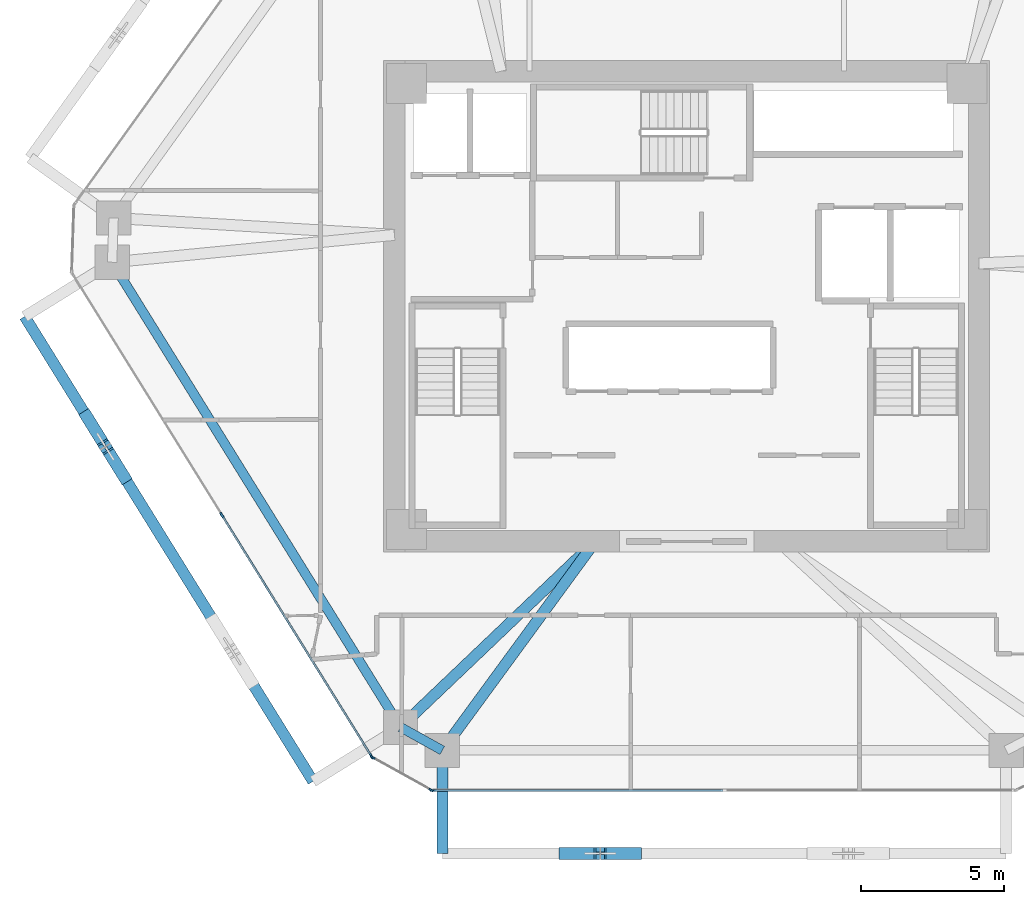
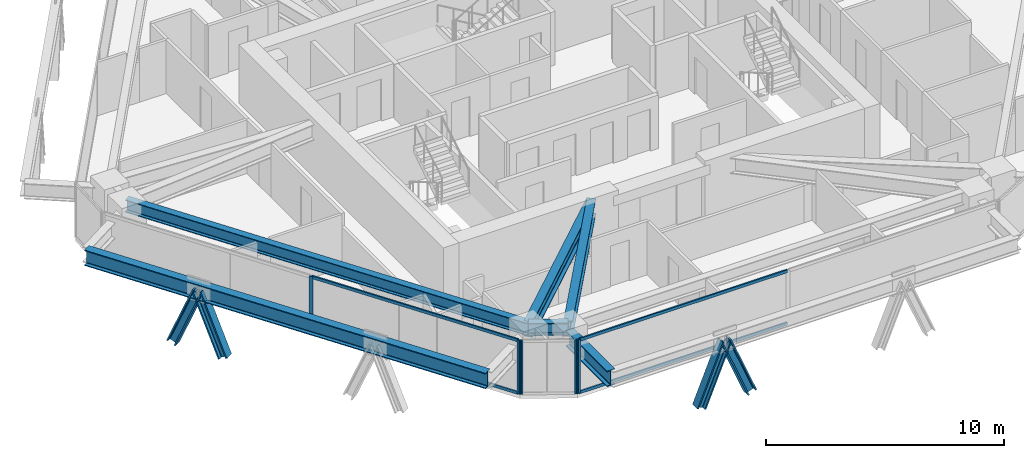
# One storey, part 2 of 17: 13 members, 6 beams, 3 elements without a shape of their own.
"""IFC4 building model written with IfcOpenShell, lengths in metres."""

from ifc_helpers import new_model, si_unit, direction, frame, origin, origin_2d, place, context, subcontext, project, spatial, rectangle, i_section, extrude, source, transform, mapped, material, layer, layer_set, material_profile, profile_set, type_object, type_shapes, element, aggregate, save


model = new_model("IFC4")

# Units and contexts
model_context = context("Model", 3, precision=1e-05, world=origin(), true_north=direction((0.0, 1.0)))
body_context = subcontext(model_context, "Body", "Model", "MODEL_VIEW")
ifc_project = project(units=[si_unit("LENGTHUNIT", "METRE"), si_unit("AREAUNIT", "SQUARE_METRE"), si_unit("VOLUMEUNIT", "CUBIC_METRE"), si_unit("PLANEANGLEUNIT", "RADIAN"), si_unit("MASSUNIT", "GRAM", prefix="KILO")], contexts=[model_context])

# Site, building, storey
site_placement = place(None, origin())
site = spatial("IfcSite", under=ifc_project, at=site_placement, CompositionType="ELEMENT")
building_placement = place(site_placement, origin())
building = spatial("IfcBuilding", under=site, at=building_placement, Name="Durnholm Broadcast Tower", CompositionType="ELEMENT")
storey_placement = place(building_placement, frame((0.0, 0.0, 143.10009765625)))
storey = spatial("IfcBuildingStorey", under=building, at=storey_placement, Name="L39", CompositionType="ELEMENT", Elevation=143.10009765625)

# Beams
ifc_material_1 = material(Name="Steel ASTM A992 Grade 50", Category="steel")
ifc_material_profile_1 = material_profile(ifc_material_1, i_section(OverallWidth=0.385009765625, OverallDepth=0.802978515625, WebThickness=0.023681640625, FlangeThickness=0.0419921875, FilletRadius=0.032958984375, at=origin_2d()), Name="W30X261")
ifc_profile_set_1 = profile_set([ifc_material_profile_1], Name="Steel ASTM A992 Grade 50")
beam_type_1 = type_object("IfcBeamType", Name="BM-EXO-TIE", PredefinedType="USERDEFINED", material=ifc_profile_set_1)
shared_shape_1 = source(origin(), body_context, "Body", "SweptSolid", [
    extrude(i_section(OverallWidth=0.385009765625, OverallDepth=0.802978515625, WebThickness=0.023681640625, FlangeThickness=0.0419921875, FilletRadius=0.032958984375, at=origin_2d()), origin(), (0.0, 0.0, 1.0), 3.4560546875),
])
beam_1_placement = place(storey_placement, frame((-8.552001953125, -15.680908203125, 2.008544921875), z_axis=(0.0, -1.0, 0.0), x_axis=(1.0, 0.0, 0.0)))
element("IfcBeam", 1, at=beam_1_placement, inside=storey, type_object=beam_type_1, Name="L39 exoskeleton stand-off tie bracket F1.1", ObjectType="GIRDER", PredefinedType="USERDEFINED", context=body_context, shape_type="MappedRepresentation", body=[
    mapped(shared_shape_1, transform((0.0, 0.0, 0.0), x_axis=(1.0, 0.0, 0.0), y_axis=(0.0, 1.0, 0.0), z_axis=(0.0, 0.0, 1.0), scale=1.0)),
])
ifc_material_profile_2 = material_profile(ifc_material_1, i_section(OverallWidth=0.3291015625, OverallDepth=0.635009765625, WebThickness=0.017822265625, FlangeThickness=0.031005859375, FilletRadius=0.02783203125, at=origin_2d()), Name="W24X162")
ifc_profile_set_2 = profile_set([ifc_material_profile_2], Name="Steel ASTM A992 Grade 50")
beam_type_2 = type_object("IfcBeamType", Name="STL-SP-W24X162", PredefinedType="SPANDREL", material=ifc_profile_set_2)
shared_shape_2 = source(origin(), body_context, "Body", "SweptSolid", [
    extrude(i_section(OverallWidth=0.3291015625, OverallDepth=0.635009765625, WebThickness=0.017822265625, FlangeThickness=0.031005859375, FilletRadius=0.02783203125, at=origin_2d()), origin(), (0.0, 0.0, 1.0), 19.1396484375),
])
beam_2_placement = place(storey_placement, frame((-10.01416015625, -14.723388671875, 2.427490234375), z_axis=(-0.527105324954, 0.849799962582, 0.0), x_axis=(-0.849799962582, -0.527105324954, 0.0)))
element("IfcBeam", 2, at=beam_2_placement, inside=storey, type_object=beam_type_2, Name="L39 perimeter spandrel girder 01", PredefinedType="SPANDREL", context=body_context, shape_type="MappedRepresentation", body=[
    mapped(shared_shape_2, transform((0.0, 0.0, 0.0), x_axis=(1.0, 0.0, 0.0), y_axis=(0.0, 1.0, 0.0), z_axis=(0.0, 0.0, 1.0), scale=1.0)),
])
shared_shape_3 = source(origin(), body_context, "Body", "SweptSolid", [
    extrude(i_section(OverallWidth=0.3291015625, OverallDepth=0.635009765625, WebThickness=0.017822265625, FlangeThickness=0.031005859375, FilletRadius=0.02783203125, at=origin_2d()), origin(), (0.0, 0.0, 1.0), 1.67333984375),
])
type_shapes(beam_type_2, [shared_shape_2, shared_shape_3])
beam_3_placement = place(storey_placement, frame((-8.552001953125, -15.537109375, 2.427490234375), z_axis=(-0.873799169188, 0.486286964586, 0.0), x_axis=(-0.486286964586, -0.873799169188, 0.0)))
element("IfcBeam", 3, at=beam_3_placement, inside=storey, type_object=beam_type_2, Name="L39 perimeter spandrel girder 12", PredefinedType="SPANDREL", context=body_context, shape_type="MappedRepresentation", body=[
    mapped(shared_shape_3, transform((0.0, 0.0, 0.0), x_axis=(1.0, 0.0, 0.0), y_axis=(0.0, 1.0, 0.0), z_axis=(0.0, 0.0, 1.0), scale=1.0)),
])
ifc_material_profile_3 = material_profile(ifc_material_1, i_section(OverallWidth=0.385009765625, OverallDepth=0.802978515625, WebThickness=0.023681640625, FlangeThickness=0.0419921875, FilletRadius=0.032958984375, at=origin_2d()), Name="W30X261")
ifc_profile_set_3 = profile_set([ifc_material_profile_3], Name="Steel ASTM A992 Grade 50")
beam_type_3 = type_object("IfcBeamType", Name="STL-GR-W30X261", PredefinedType="USERDEFINED", material=ifc_profile_set_3)
shared_shape_4 = source(origin(), body_context, "Body", "SweptSolid", [
    extrude(i_section(OverallWidth=0.385009765625, OverallDepth=0.802978515625, WebThickness=0.023681640625, FlangeThickness=0.0419921875, FilletRadius=0.032958984375, at=origin_2d()), origin(), (0.0, 0.0, 1.0), 9.416015625),
])
beam_4_placement = place(storey_placement, frame((-3.199951171875, -8.22509765625, 2.343505859375), z_axis=(-0.723683335801, -0.690132182617, 0.0), x_axis=(0.690132182617, -0.723683335801, 0.0)))
element("IfcBeam", 4, at=beam_4_placement, inside=storey, type_object=beam_type_3, Name="L39 radial primary floor girder 01", ObjectType="GIRDER", PredefinedType="USERDEFINED", context=body_context, shape_type="MappedRepresentation", body=[
    mapped(shared_shape_4, transform((0.0, 0.0, 0.0), x_axis=(1.0, 0.0, 0.0), y_axis=(0.0, 1.0, 0.0), z_axis=(0.0, 0.0, 1.0), scale=1.0)),
])
shared_shape_5 = source(origin(), body_context, "Body", "SweptSolid", [
    extrude(i_section(OverallWidth=0.385009765625, OverallDepth=0.802978515625, WebThickness=0.023681640625, FlangeThickness=0.0419921875, FilletRadius=0.032958984375, at=origin_2d()), origin(), (0.0, 0.0, 1.0), 9.0615234375),
])
type_shapes(beam_type_3, [shared_shape_4, shared_shape_5])
beam_5_placement = place(storey_placement, frame((-3.199951171875, -8.22509765625, 2.343505859375), z_axis=(-0.590639241086, -0.806935739008, 0.0), x_axis=(0.806935739008, -0.590639241086, 0.0)))
element("IfcBeam", 5, at=beam_5_placement, inside=storey, type_object=beam_type_3, Name="L39 radial primary floor girder 12", ObjectType="GIRDER", PredefinedType="USERDEFINED", context=body_context, shape_type="MappedRepresentation", body=[
    mapped(shared_shape_5, transform((0.0, 0.0, 0.0), x_axis=(1.0, 0.0, 0.0), y_axis=(0.0, 1.0, 0.0), z_axis=(0.0, 0.0, 1.0), scale=1.0)),
])
shared_shape_6 = source(origin(), body_context, "Body", "SweptSolid", [
    extrude(i_section(OverallWidth=0.385009765625, OverallDepth=0.802978515625, WebThickness=0.023681640625, FlangeThickness=0.0419921875, FilletRadius=0.032958984375, at=origin_2d()), origin(), (0.0, 0.0, 1.0), 19.139404296875),
])
type_shapes(beam_type_1, [shared_shape_1, shared_shape_6])
beam_6_placement = place(storey_placement, frame((-23.162109375, -0.356201171875, 2.008544921875), z_axis=(0.527111038734, -0.84979641847, 0.0), x_axis=(0.84979641847, 0.527111038734, 0.0)))
element("IfcBeam", 6, at=beam_6_placement, inside=storey, type_object=beam_type_1, Name="L39 exoskeleton collector spandrel F6", PredefinedType="SPANDREL", context=body_context, shape_type="MappedRepresentation", body=[
    mapped(shared_shape_6, transform((0.0, 0.0, 0.0), x_axis=(1.0, 0.0, 0.0), y_axis=(0.0, 1.0, 0.0), z_axis=(0.0, 0.0, 1.0), scale=1.0)),
])

# Members
ifc_material_2 = material(Name="Steel ASTM A913 Grade 65", Category="steel")
ifc_material_profile_4 = material_profile(ifc_material_2, i_section(OverallWidth=0.41845703125, OverallDepth=0.455078125, WebThickness=0.0419921875, FlangeThickness=0.067626953125, FilletRadius=0.030517578125, at=origin_2d()), Name="W14X370")
ifc_profile_set_4 = profile_set([ifc_material_profile_4], Name="Steel ASTM A913 Grade 65")
member_type_1 = type_object("IfcMemberType", Name="STL-DG-W14X370", PredefinedType="BRACE", material=ifc_profile_set_4)
shared_shape_7 = source(origin(), body_context, "Body", "SweptSolid", [
    extrude(i_section(OverallWidth=0.41845703125, OverallDepth=0.455078125, WebThickness=0.0419921875, FlangeThickness=0.067626953125, FilletRadius=0.030517578125, at=origin_2d()), origin(), (0.0, 0.0, 1.0), 3.243896484375),
])
for number, where, z_axis, x_axis, name in (
    (7, (-4.261962890625, -19.136962890625, -0.991455078125), (0.380378804119, 0.0, 0.924830776616), (0.0, 1.0, 0.0), "L39 stand-off diagrid brace F1.D1.1"),
    (8, (-1.794189453125, -19.136962890625, -0.991455078125), (-0.380378804119, 0.0, 0.924830776616), (0.0, -1.0, 0.0), "L39 stand-off diagrid brace F1.D1.2"),
    (9, (-20.987548828125, -3.86181640625, -0.991455078125), (0.200499851569, -0.323253326761, 0.924828144175), (0.849805205368, 0.527096872433, 0.0), "L39 stand-off diagrid brace F6.D1.1"),
):
    element("IfcMember", number, at=place(storey_placement, frame(where, z_axis=z_axis, x_axis=x_axis)), inside=storey, type_object=member_type_1, Name=name, PredefinedType="BRACE", context=body_context, shape_type="MappedRepresentation", body=[
        mapped(shared_shape_7, transform((0.0, 0.0, 0.0), x_axis=(1.0, 0.0, 0.0), y_axis=(0.0, 1.0, 0.0), z_axis=(0.0, 0.0, 1.0), scale=1.0)),
    ])
shared_shape_8 = source(origin(), body_context, "Body", "SweptSolid", [
    extrude(i_section(OverallWidth=0.41845703125, OverallDepth=0.455078125, WebThickness=0.0419921875, FlangeThickness=0.067626953125, FilletRadius=0.030517578125, at=origin_2d()), origin(), (0.0, 0.0, 1.0), 3.24365234375),
])
type_shapes(member_type_1, [shared_shape_7, shared_shape_8])
member_1_placement = place(storey_placement, frame((-19.686767578125, -5.958740234375, -0.991455078125), z_axis=(-0.200504729124, 0.323185925998, 0.924850642447), x_axis=(-0.849750220063, -0.527185511469, 0.0)))
element("IfcMember", 10, at=member_1_placement, inside=storey, type_object=member_type_1, Name="L39 stand-off diagrid brace F6.D1.2", PredefinedType="BRACE", context=body_context, shape_type="MappedRepresentation", body=[
    mapped(shared_shape_8, transform((0.0, 0.0, 0.0), x_axis=(1.0, 0.0, 0.0), y_axis=(0.0, 1.0, 0.0), z_axis=(0.0, 0.0, 1.0), scale=1.0)),
])

# Curtain wall, members
ifc_material_3 = material(Name="Aluminium and Solar Control IGU", Category="aluminium")
ifc_layer_1 = layer(ifc_material_3, 0.1650390625)
ifc_layer_set_1 = layer_set([ifc_layer_1], Name="Aluminium and Solar Control IGU")
curtain_wall_type_1 = type_object("IfcCurtainWallType", Name="CW-SYS-5", PredefinedType="NOTDEFINED", material=ifc_layer_set_1)
curtain_wall_1_placement = place(storey_placement, origin())
curtain_wall_1 = element("IfcCurtainWall", 11, at=curtain_wall_1_placement, inside=storey, type_object=curtain_wall_type_1, Name="L39 curtain wall CW-CORNER CW-L39-CRN-11", PredefinedType="NOTDEFINED")
ifc_material_4 = material(Name="Aluminium 6063-T6", Category="aluminium")
ifc_material_profile_5 = material_profile(ifc_material_4, rectangle(XDim=0.06494140625, YDim=0.1650390625, at=origin_2d()), Name="CWM65X165")
ifc_profile_set_5 = profile_set([ifc_material_profile_5], Name="Aluminium 6063-T6")
member_type_2 = type_object("IfcMemberType", Name="CW-SYS-5-MUL", PredefinedType="MULLION", material=ifc_profile_set_5)
shared_shape_9 = source(origin(), body_context, "Body", "SweptSolid", [
    extrude(rectangle(XDim=0.06494140625, YDim=0.1650390625, at=origin_2d()), origin(), (0.0, 0.0, 1.0), 2.760009765625),
])
type_shapes(member_type_2, [shared_shape_9])
member_2_placement = place(storey_placement, frame((-8.943603515625, -16.921142578125, 0.0), z_axis=(0.0, 0.0, 1.0), x_axis=(-0.486244224192, -0.873822953715, 0.0)))
member_2 = element("IfcMember", 12, at=member_2_placement, type_object=member_type_2, Name="CW-CORNER mullion 1", PredefinedType="MULLION", context=body_context, shape_type="MappedRepresentation", body=[
    mapped(shared_shape_9, transform((0.0, 0.0, 0.0), x_axis=(1.0, 0.0, 0.0), y_axis=(0.0, 1.0, 0.0), z_axis=(0.0, 0.0, 1.0), scale=1.0)),
])
member_3_placement = place(storey_placement, frame((-10.98388671875, -15.785888671875, 0.0), z_axis=(0.0, 0.0, 1.0), x_axis=(-0.486244224192, -0.873822953715, 0.0)))
member_3 = element("IfcMember", 13, at=member_3_placement, type_object=member_type_2, Name="CW-CORNER mullion 2", PredefinedType="MULLION", context=body_context, shape_type="MappedRepresentation", body=[
    mapped(shared_shape_9, transform((0.0, 0.0, 0.0), x_axis=(1.0, 0.0, 0.0), y_axis=(0.0, 1.0, 0.0), z_axis=(0.0, 0.0, 1.0), scale=1.0)),
])
aggregate(curtain_wall_1, [member_2, member_3])

# Curtain wall, member
ifc_layer_2 = layer(ifc_material_3, 0.18994140625)
ifc_layer_set_2 = layer_set([ifc_layer_2], Name="Aluminium and Solar Control IGU")
curtain_wall_type_2 = type_object("IfcCurtainWallType", Name="CW-SYS-3", PredefinedType="NOTDEFINED", material=ifc_layer_set_2)
curtain_wall_2_placement = place(storey_placement, origin())
curtain_wall_2 = element("IfcCurtainWall", 14, at=curtain_wall_2_placement, inside=storey, type_object=curtain_wall_type_2, Name="L39 curtain wall CW-Z12-VIS CW-L39-F10", PredefinedType="NOTDEFINED")
ifc_material_profile_6 = material_profile(ifc_material_4, rectangle(XDim=0.070068359375, YDim=0.18994140625, at=origin_2d()), Name="CWM70X190")
ifc_profile_set_6 = profile_set([ifc_material_profile_6], Name="Aluminium 6063-T6")
member_type_3 = type_object("IfcMemberType", Name="CW-SYS-3-MUL", PredefinedType="MULLION", material=ifc_profile_set_6)
shared_shape_10 = source(origin(), body_context, "Body", "SweptSolid", [
    extrude(rectangle(XDim=0.070068359375, YDim=0.18994140625, at=origin_2d()), origin(), (0.0, 0.0, 1.0), 2.760009765625),
])
type_shapes(member_type_3, [shared_shape_10])
member_4_placement = place(storey_placement, frame((-8.880126953125, -16.93701171875, 0.0), z_axis=(0.0, 0.0, 1.0), x_axis=(0.0, -1.0, 0.0)))
member_4 = element("IfcMember", 15, at=member_4_placement, type_object=member_type_3, Name="CW-Z12-VIS mullion 3", PredefinedType="MULLION", context=body_context, shape_type="MappedRepresentation", body=[
    mapped(shared_shape_10, transform((0.0, 0.0, 0.0), x_axis=(1.0, 0.0, 0.0), y_axis=(0.0, 1.0, 0.0), z_axis=(0.0, 0.0, 1.0), scale=1.0)),
])

# Curtain wall, members
curtain_wall_3_placement = place(storey_placement, origin())
curtain_wall_3 = element("IfcCurtainWall", 16, at=curtain_wall_3_placement, inside=storey, type_object=curtain_wall_type_2, Name="L39 curtain wall CW-Z12-VIS CW-L39-F12", PredefinedType="NOTDEFINED")
member_5_placement = place(storey_placement, frame((-11.03076171875, -15.740234375, 0.0), z_axis=(0.0, 0.0, 1.0), x_axis=(-0.849799925229, -0.527105385176, 0.0)))
member_5 = element("IfcMember", 17, at=member_5_placement, type_object=member_type_3, Name="CW-Z12-VIS mullion 1", PredefinedType="MULLION", context=body_context, shape_type="MappedRepresentation", body=[
    mapped(shared_shape_10, transform((0.0, 0.0, 0.0), x_axis=(1.0, 0.0, 0.0), y_axis=(0.0, 1.0, 0.0), z_axis=(0.0, 0.0, 1.0), scale=1.0)),
])
member_6_placement = place(storey_placement, frame((-16.264404296875, -7.302734375, 0.0), z_axis=(0.0, 0.0, 1.0), x_axis=(-0.849799925229, -0.527105385176, 0.0)))
member_6 = element("IfcMember", 18, at=member_6_placement, type_object=member_type_3, Name="CW-Z12-VIS mullion 2", PredefinedType="MULLION", context=body_context, shape_type="MappedRepresentation", body=[
    mapped(shared_shape_10, transform((0.0, 0.0, 0.0), x_axis=(1.0, 0.0, 0.0), y_axis=(0.0, 1.0, 0.0), z_axis=(0.0, 0.0, 1.0), scale=1.0)),
])

# Member
ifc_material_profile_7 = material_profile(ifc_material_4, rectangle(XDim=0.070068359375, YDim=0.14990234375, at=origin_2d()), Name="CWT70X150")
ifc_profile_set_7 = profile_set([ifc_material_profile_7], Name="Aluminium 6063-T6")
member_type_4 = type_object("IfcMemberType", Name="CW-SYS-3-TRN", PredefinedType="USERDEFINED", material=ifc_profile_set_7)
shared_shape_11 = source(origin(), body_context, "Body", "SweptSolid", [
    extrude(rectangle(XDim=0.070068359375, YDim=0.14990234375, at=origin_2d()), origin(), (0.0, 0.0, 1.0), 10.109619140625),
])
member_7_placement = place(storey_placement, frame((1.264404296875, -16.93701171875, 0.034912109375), z_axis=(-1.0, 0.0, 0.0), x_axis=(0.0, -1.0, 0.0)))
member_7 = element("IfcMember", 19, at=member_7_placement, type_object=member_type_4, Name="CW-Z12-VIS transom 2.1", ObjectType="TRANSOM", PredefinedType="USERDEFINED", context=body_context, shape_type="MappedRepresentation", body=[
    mapped(shared_shape_11, transform((0.0, 0.0, 0.0), x_axis=(1.0, 0.0, 0.0), y_axis=(0.0, 1.0, 0.0), z_axis=(0.0, 0.0, 1.0), scale=1.0)),
])

member_8_placement = place(storey_placement, frame((1.264404296875, -16.93701171875, 2.724853515625), z_axis=(-1.0, 0.0, 0.0), x_axis=(0.0, -1.0, 0.0)))
member_8 = element("IfcMember", 20, at=member_8_placement, type_object=member_type_4, Name="CW-Z12-VIS transom 2.2", ObjectType="TRANSOM", PredefinedType="USERDEFINED", context=body_context, shape_type="MappedRepresentation", body=[
    mapped(shared_shape_11, transform((0.0, 0.0, 0.0), x_axis=(1.0, 0.0, 0.0), y_axis=(0.0, 1.0, 0.0), z_axis=(0.0, 0.0, 1.0), scale=1.0)),
])

aggregate(curtain_wall_2, [member_4, member_7, member_8])

shared_shape_12 = source(origin(), body_context, "Body", "SweptSolid", [
    extrude(rectangle(XDim=0.070068359375, YDim=0.14990234375, at=origin_2d()), origin(), (0.0, 0.0, 1.0), 9.858642578125),
])
type_shapes(member_type_4, [shared_shape_11, shared_shape_12])
member_9_placement = place(storey_placement, frame((-11.04931640625, -15.71044921875, 0.034912109375), z_axis=(-0.527102081419, 0.849801974441, 0.0), x_axis=(-0.849801974441, -0.527102081419, 0.0)))
member_9 = element("IfcMember", 21, at=member_9_placement, type_object=member_type_4, Name="CW-Z12-VIS transom 1.1", ObjectType="TRANSOM", PredefinedType="USERDEFINED", context=body_context, shape_type="MappedRepresentation", body=[
    mapped(shared_shape_12, transform((0.0, 0.0, 0.0), x_axis=(1.0, 0.0, 0.0), y_axis=(0.0, 1.0, 0.0), z_axis=(0.0, 0.0, 1.0), scale=1.0)),
])

member_10_placement = place(storey_placement, frame((-11.04931640625, -15.71044921875, 2.724853515625), z_axis=(-0.527102081419, 0.849801974441, 0.0), x_axis=(-0.849801974441, -0.527102081419, 0.0)))
member_10 = element("IfcMember", 22, at=member_10_placement, type_object=member_type_4, Name="CW-Z12-VIS transom 1.2", ObjectType="TRANSOM", PredefinedType="USERDEFINED", context=body_context, shape_type="MappedRepresentation", body=[
    mapped(shared_shape_12, transform((0.0, 0.0, 0.0), x_axis=(1.0, 0.0, 0.0), y_axis=(0.0, 1.0, 0.0), z_axis=(0.0, 0.0, 1.0), scale=1.0)),
])

aggregate(curtain_wall_3, [member_5, member_6, member_9, member_10])

save(model, "model.ifc")
